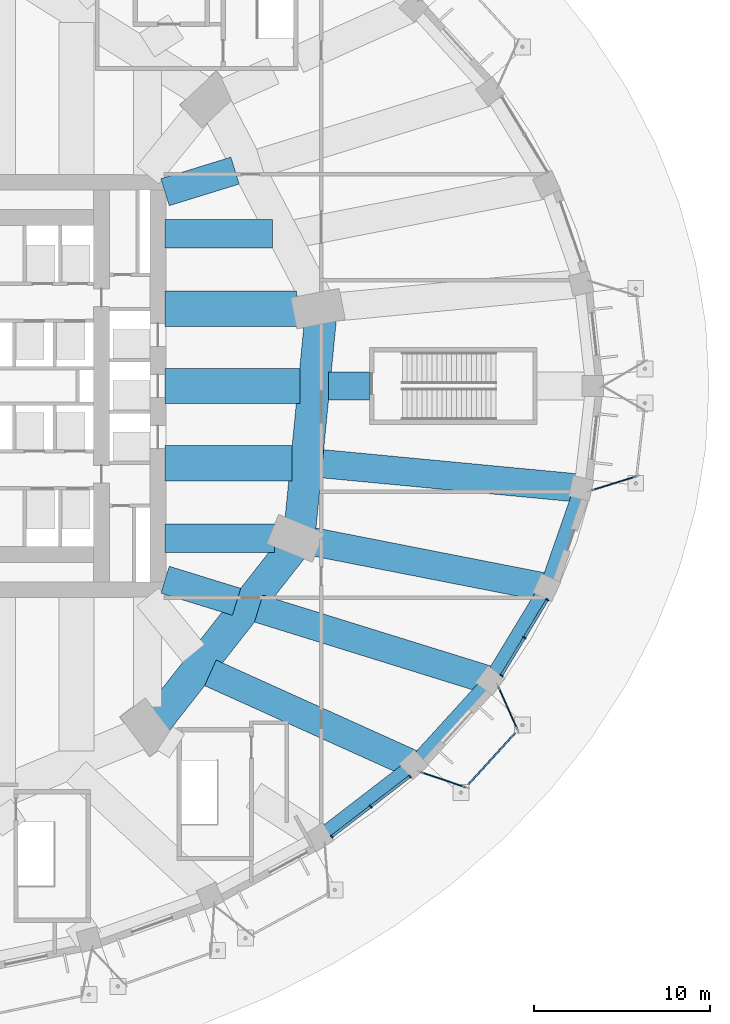
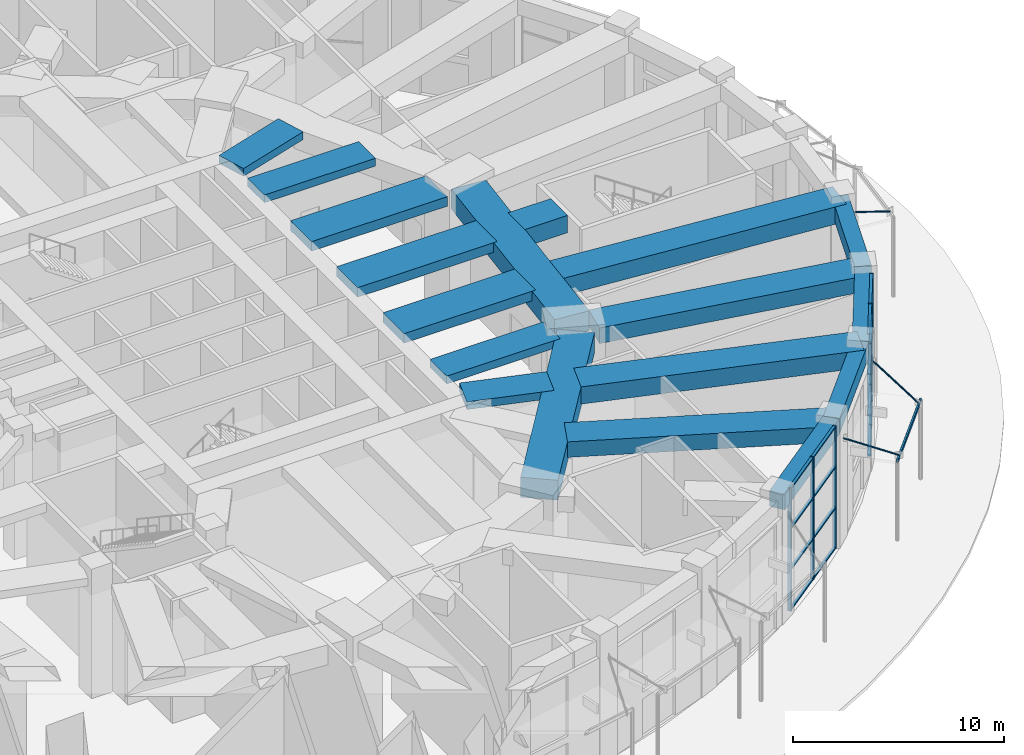
# One storey, part 28 of 60: 25 members, 19 beams, 2 elements without a shape of their own.
"""IFC4 building model written with IfcOpenShell, lengths in metres."""

import ifcopenshell
import ifcopenshell.guid

model = None  # the IFC model being written
_history = None  # IfcOwnerHistory: only IFC2X3 demands one
_inside = {}  # id of a spatial element -> (the spatial element, [elements in it])
_under = {}  # id of a project, library or spatial element -> (it, [spatial elements below it])
_declared = {}  # id of a project -> (the project, [libraries it declares])
_typed = {}  # id of a type object -> (the type object, [elements of that type])
_made_of = {}  # id of a material, layer set ... -> (it, [elements and type objects made of it])


def new_model(schema):
    """Start an empty IFC model of exactly this schema.

    Asked for "IFC4X3", IfcOpenShell would pick the latest addendum, in which some entities
    have other attributes; the version numbers below select the first issue.
    IFC2X3 requires an IfcOwnerHistory on every rooted entity: one is made here for all.
    """
    global model, _history
    if schema == "IFC4X3":
        model = ifcopenshell.file(schema_version=(4, 3, 0, 0))
    else:
        model = ifcopenshell.file(schema=schema)
    _inside.clear()
    _under.clear()
    _declared.clear()
    _typed.clear()
    _made_of.clear()
    _history = None
    if model.schema == "IFC2X3":
        org = make("IfcOrganization", Name="unknown")
        user = make(
            "IfcPersonAndOrganization",
            ThePerson=make("IfcPerson", FamilyName="unknown"),
            TheOrganization=org,
        )
        app = make(
            "IfcApplication",
            ApplicationDeveloper=org,
            Version="unknown",
            ApplicationFullName="unknown",
            ApplicationIdentifier="unknown",
        )
        _history = make(
            "IfcOwnerHistory",
            OwningUser=user,
            OwningApplication=app,
            ChangeAction="ADDED",
            CreationDate=0,
        )
    return model


def make(cls, **values):
    """One entity of the class cls with the attributes given. An attribute that is None is left unset."""
    return model.create_entity(
        cls, **{name: value for name, value in values.items() if value is not None}
    )


def rooted(cls, **values):
    """An entity with a GlobalId (a new one), such as an element, a storey or a relation."""
    return make(cls, GlobalId=ifcopenshell.guid.new(), OwnerHistory=_history, **values)


def si_unit(unit_type, name, prefix=None):
    """IfcSIUnit, for example si_unit("LENGTHUNIT", "METRE", prefix="MILLI")."""
    return make("IfcSIUnit", UnitType=unit_type, Prefix=prefix, Name=name)


def assignment(units):
    """IfcUnitAssignment: the units of a project."""
    return None if units is None else make("IfcUnitAssignment", Units=units)


def point(xyz):
    """IfcCartesianPoint."""
    return None if xyz is None else make("IfcCartesianPoint", Coordinates=xyz)


def direction(xyz):
    """IfcDirection."""
    return None if xyz is None else make("IfcDirection", DirectionRatios=xyz)


def frame(location, z_axis=None, x_axis=None):
    """IfcAxis2Placement3D, a coordinate frame: its origin and axes. An axis left out is left unset."""
    return make(
        "IfcAxis2Placement3D",
        Location=point(location),
        Axis=direction(z_axis),
        RefDirection=direction(x_axis),
    )


def frame_2d(location, x_axis=None):
    """IfcAxis2Placement2D, a coordinate frame in the plane: its origin and x axis."""
    return make(
        "IfcAxis2Placement2D", Location=point(location), RefDirection=direction(x_axis)
    )


def origin():
    """The frame at (0, 0, 0) with its axes left unset."""
    return frame((0.0, 0.0, 0.0))


def origin_2d():
    """The frame at (0, 0) in the plane with its x axis left unset."""
    return frame_2d((0.0, 0.0))


def place(relative_to, where):
    """IfcLocalPlacement: puts the frame where relative to a parent placement (None: the world)."""
    return make(
        "IfcLocalPlacement", PlacementRelTo=relative_to, RelativePlacement=where
    )


def context(
    kind, dimensions, precision=None, world=None, true_north=None, identifier=None
):
    """IfcGeometricRepresentationContext, for example the 3D "Model" context."""
    return make(
        "IfcGeometricRepresentationContext",
        ContextIdentifier=identifier,
        ContextType=kind,
        CoordinateSpaceDimension=dimensions,
        Precision=precision,
        WorldCoordinateSystem=world,
        TrueNorth=true_north,
    )


def subcontext(parent, identifier, kind, view, scale=None):
    """IfcGeometricRepresentationSubContext, for example "Body" below "Model"."""
    return make(
        "IfcGeometricRepresentationSubContext",
        ContextIdentifier=identifier,
        ContextType=kind,
        ParentContext=parent,
        TargetScale=scale,
        TargetView=view,
    )


def project(units=None, contexts=None):
    """IfcProject with its units and contexts."""
    return rooted(
        "IfcProject",
        Name="project",
        RepresentationContexts=contexts,
        UnitsInContext=assignment(units),
    )


def spatial(cls, under=None, at=None, **own):
    """A site, building, storey or space (cls), placed at a placement, below another one or the project."""
    s = rooted(cls, ObjectPlacement=at, **own)
    if under is not None:
        _under.setdefault(under.id(), (under, []))[1].append(s)
    return s


def profile(cls, at=None, kind="AREA", **sizes):
    """A parametric profile (cls). Its sizes go by their IFC names, for example OverallWidth=200.0."""
    return make(cls, ProfileType=kind, Position=at, **sizes)


def rectangle(**sizes):
    """IfcRectangleProfileDef."""
    return profile("IfcRectangleProfileDef", **sizes)


def hollow_rectangle(**sizes):
    """IfcRectangleHollowProfileDef."""
    return profile("IfcRectangleHollowProfileDef", **sizes)


def hollow_circle(**sizes):
    """IfcCircleHollowProfileDef."""
    return profile("IfcCircleHollowProfileDef", **sizes)


def extrude(swept, where, along, depth):
    """IfcExtrudedAreaSolid: the profile swept, set in the frame where, extruded along a direction by depth."""
    return make(
        "IfcExtrudedAreaSolid",
        SweptArea=swept,
        Position=where,
        ExtrudedDirection=direction(along),
        Depth=depth,
    )


def shape(context_of_items, identifier, shape_type, items):
    """IfcShapeRepresentation: the items that make up one representation, for example the "Body"."""
    return make(
        "IfcShapeRepresentation",
        ContextOfItems=context_of_items,
        RepresentationIdentifier=identifier,
        RepresentationType=shape_type,
        Items=items,
    )


def material(Name=None, Category=None):
    """IfcMaterial."""
    return make("IfcMaterial", Name=Name, Category=Category)


def material_profile(
    of_material, cross_section, Name=None, Category=None, Priority=None
):
    """IfcMaterialProfile: a cross section and its material."""
    return make(
        "IfcMaterialProfile",
        Name=Name,
        Material=of_material,
        Profile=cross_section,
        Priority=Priority,
        Category=Category,
    )


def profile_set(profiles, Name=None, composite=None):
    """IfcMaterialProfileSet."""
    return make(
        "IfcMaterialProfileSet",
        Name=Name,
        MaterialProfiles=profiles,
        CompositeProfile=composite,
    )


def made_of(thing, what):
    """Note that an element or type object is made of a material, layer set ...; save() writes the relation."""
    if what is not None:
        _made_of.setdefault(what.id(), (what, []))[1].append(thing)
    return thing


def type_object(cls, material=None, **own):
    """A type object (cls), such as IfcWallType, which elements share."""
    return made_of(rooted(cls, **own), material)


def element(
    cls,
    number,
    at=None,
    inside=None,
    cuts=None,
    type_object=None,
    material=None,
    context=None,
    identifier="Body",
    shape_type=None,
    held_by="IfcProductDefinitionShape",
    body=None,
    shapes=None,
    **own,
):
    """One element of the class cls, such as IfcWall. Its Tag is "e" and its number.

    at: its placement. inside: the storey or other place that contains it. cuts: it is an
    opening in that element (IfcRelVoidsElement). A single representation is given by context,
    identifier, shape_type and body (its items); several are given by shapes. held_by: the class
    of the entity that holds the representations. save() writes the other relations.
    """
    e = rooted(cls, Tag="e%d" % number, ObjectPlacement=at, **own)
    if body is not None:
        shapes = [shape(context, identifier, shape_type, body)]
    if shapes is not None:
        e.Representation = make(held_by, Representations=shapes)
    if inside is not None:
        _inside.setdefault(inside.id(), (inside, []))[1].append(e)
    if cuts is not None:
        rooted(
            "IfcRelVoidsElement", RelatingBuildingElement=cuts, RelatedOpeningElement=e
        )
    if type_object is not None:
        _typed.setdefault(type_object.id(), (type_object, []))[1].append(e)
    return made_of(e, material)


def aggregate(whole, parts):
    """IfcRelAggregates: a whole, such as a stair, and the parts it consists of."""
    return rooted("IfcRelAggregates", RelatingObject=whole, RelatedObjects=parts)


def save(model, path):
    """Write the relations noted so far, then the file.

    IfcRelAggregates (storeys below a building ...), IfcRelContainedInSpatialStructure (elements
    in a storey), IfcRelDefinesByType, IfcRelAssociatesMaterial and IfcRelDeclares: one each for
    every whole, place, type object, material and project.
    """
    for whole, parts in _under.values():
        aggregate(whole, parts)
    for where, things in _inside.values():
        rooted(
            "IfcRelContainedInSpatialStructure",
            RelatedElements=things,
            RelatingStructure=where,
        )
    for kind, things in _typed.values():
        rooted("IfcRelDefinesByType", RelatedObjects=things, RelatingType=kind)
    for what, things in _made_of.values():
        rooted("IfcRelAssociatesMaterial", RelatedObjects=things, RelatingMaterial=what)
    for by, libraries in _declared.values():
        rooted("IfcRelDeclares", RelatingContext=by, RelatedDefinitions=libraries)
    model.write(path)


model = new_model("IFC4")

# Units and contexts
model_context = context("Model", 3, precision=1e-05, world=origin(), true_north=direction((0.0, 1.0)))
body_context = subcontext(model_context, "Body", "Model", "MODEL_VIEW")
ifc_project = project(units=[si_unit("LENGTHUNIT", "METRE"), si_unit("AREAUNIT", "SQUARE_METRE"), si_unit("VOLUMEUNIT", "CUBIC_METRE"), si_unit("PLANEANGLEUNIT", "RADIAN"), si_unit("MASSUNIT", "GRAM", prefix="KILO")], contexts=[model_context])

# Site, building, storey
site_placement = place(None, origin())
site = spatial("IfcSite", under=ifc_project, at=site_placement, CompositionType="ELEMENT")
building_placement = place(site_placement, origin())
building = spatial("IfcBuilding", under=site, at=building_placement, Name="Taillehof Tower", CompositionType="ELEMENT")
storey_placement = place(building_placement, origin())
storey = spatial("IfcBuildingStorey", under=building, at=storey_placement, Name="L00", CompositionType="ELEMENT", Elevation=0.0)

# Beam
ifc_material_1 = material(Name="Steel S460M", Category="steel")
ifc_material_profile_1 = material_profile(ifc_material_1, hollow_rectangle(XDim=0.10009765625, YDim=0.199951171875, WallThickness=0.008056640625, InnerFilletRadius=0.008056640625, OuterFilletRadius=0.011962890625, at=origin_2d()), Name="RHS 200x100x8")
ifc_profile_set_1 = profile_set([ifc_material_profile_1], Name="Steel S460M")
beam_type_1 = type_object("IfcBeamType", Name="Canopy edge beam RHS 200x100x8", PredefinedType="BEAM", material=ifc_profile_set_1)
beam_1_placement = place(storey_placement, frame((35.916748046875, -23.064208984375, 4.550048828125), z_axis=(0.672947641547, 0.739690118723, 0.0), x_axis=(-0.739690118723, 0.672947641547, 0.0)))
element("IfcBeam", 1, at=beam_1_placement, inside=storey, type_object=beam_type_1, Name="Canopy edge beam E13", PredefinedType="BEAM", context=body_context, shape_type="SweptSolid", body=[
    extrude(hollow_rectangle(XDim=0.10009765625, YDim=0.199951171875, WallThickness=0.008056640625, InnerFilletRadius=0.008056640625, OuterFilletRadius=0.011962890625, at=origin_2d()), origin(), (0.0, 0.0, 1.0), 5.21630859375),
])

# Members
ifc_material_2 = material(Name="Steel S460M", Category="steel")
ifc_material_profile_2 = material_profile(ifc_material_2, hollow_circle(Radius=0.04443359375, WallThickness=0.0048828125, at=origin_2d()), Name="CHS 89x5")
ifc_profile_set_2 = profile_set([ifc_material_profile_2], Name="Steel S460M")
member_type_1 = type_object("IfcMemberType", Name="Canopy tie CHS 89x5", PredefinedType="BRACE", material=ifc_profile_set_2)
member_1_placement = place(storey_placement, frame((36.19921875, -22.75341796875, 4.639892578125), z_axis=(-0.846853629113, 0.285399258817, 0.448760731265), x_axis=(-0.319362878484, -0.947632498306, 0.0)))
element("IfcMember", 2, at=member_1_placement, inside=storey, type_object=member_type_1, Name="Canopy tie E13", PredefinedType="BRACE", context=body_context, shape_type="SweptSolid", body=[
    extrude(hollow_circle(Radius=0.04443359375, WallThickness=0.0048828125, at=origin_2d()), origin(), (0.0, 0.0, 1.0), 3.03076171875),
])
member_2_placement = place(storey_placement, frame((39.144287109375, -19.516357421875, 4.639892578125), z_axis=(-0.363592680004, 0.816412533751, 0.448632296856), x_axis=(-0.913502878327, -0.406832264317, 0.0)))
element("IfcMember", 3, at=member_2_placement, inside=storey, type_object=member_type_1, Name="Canopy tie E13", PredefinedType="BRACE", context=body_context, shape_type="SweptSolid", body=[
    extrude(hollow_circle(Radius=0.04443359375, WallThickness=0.0048828125, at=origin_2d()), origin(), (0.0, 0.0, 1.0), 3.03173828125),
])
member_3_placement = place(storey_placement, frame((45.884765625, -5.12109375, 4.639892578125), z_axis=(-0.853423917099, -0.265638457501, 0.448446014163), x_axis=(0.297197929532, -0.954815893606, 0.0)))
element("IfcMember", 4, at=member_3_placement, inside=storey, type_object=member_type_1, Name="Canopy tie E19", PredefinedType="BRACE", context=body_context, shape_type="SweptSolid", body=[
    extrude(hollow_circle(Radius=0.04443359375, WallThickness=0.0048828125, at=origin_2d()), origin(), (0.0, 0.0, 1.0), 3.032958984375),
])

# Beams
ifc_material_3 = material(Name="Concrete C50/60", Category="concrete")
ifc_material_profile_3 = material_profile(ifc_material_3, rectangle(XDim=0.800048828125, YDim=0.89990234375, at=origin_2d()), Name="RC 800x900")
ifc_profile_set_3 = profile_set([ifc_material_profile_3], Name="Concrete C50/60")
beam_type_2 = type_object("IfcBeamType", Name="Podium edge beam C50/60 800x900", PredefinedType="BEAM", material=ifc_profile_set_3)
beam_2_placement = place(storey_placement, frame((27.89697265625, -25.5859375, 6.639892578125), z_axis=(0.79247741179, 0.609901263978, 0.0), x_axis=(-0.609901263978, 0.79247741179, 0.0)))
element("IfcBeam", 5, at=beam_2_placement, inside=storey, type_object=beam_type_2, Name="Podium edge beam PB32", PredefinedType="BEAM", context=body_context, shape_type="SweptSolid", body=[
    extrude(rectangle(XDim=0.800048828125, YDim=0.89990234375, at=origin_2d()), origin(), (0.0, 0.0, 1.0), 6.750244140625),
])
beam_3_placement = place(storey_placement, frame((33.246337890625, -21.468994140625, 6.639892578125), z_axis=(0.67297994181, 0.739660731634, 0.0), x_axis=(-0.739660731634, 0.67297994181, 0.0)))
element("IfcBeam", 6, at=beam_3_placement, inside=storey, type_object=beam_type_2, Name="Podium edge beam PB33", PredefinedType="BEAM", context=body_context, shape_type="SweptSolid", body=[
    extrude(rectangle(XDim=0.800048828125, YDim=0.89990234375, at=origin_2d()), origin(), (0.0, 0.0, 1.0), 6.447509765625),
])
beam_4_placement = place(storey_placement, frame((37.58544921875, -16.699951171875, 6.639892578125), z_axis=(0.518238569123, 0.855236099258, 0.0), x_axis=(-0.855236099258, 0.518238569123, 0.0)))
element("IfcBeam", 7, at=beam_4_placement, inside=storey, type_object=beam_type_2, Name="Podium edge beam PB34", PredefinedType="BEAM", context=body_context, shape_type="SweptSolid", body=[
    extrude(rectangle(XDim=0.800048828125, YDim=0.89990234375, at=origin_2d()), origin(), (0.0, 0.0, 1.0), 6.16943359375),
])
beam_5_placement = place(storey_placement, frame((40.78271484375, -11.423583984375, 6.639892578125), z_axis=(0.328806837859, 0.94439719577, 0.0), x_axis=(-0.94439719577, 0.328806837859, 0.0)))
element("IfcBeam", 8, at=beam_5_placement, inside=storey, type_object=beam_type_2, Name="Podium edge beam PB35", PredefinedType="BEAM", context=body_context, shape_type="SweptSolid", body=[
    extrude(rectangle(XDim=0.800048828125, YDim=0.89990234375, at=origin_2d()), origin(), (0.0, 0.0, 1.0), 5.954833984375),
])
ifc_material_4 = material(Name="Concrete C50/60", Category="concrete")
ifc_material_profile_4 = material_profile(ifc_material_4, rectangle(XDim=1.60009765625, YDim=1.0, at=origin_2d()), Name="RC 1600x1000")
ifc_profile_set_4 = profile_set([ifc_material_profile_4], Name="Concrete C50/60")
beam_type_3 = type_object("IfcBeamType", Name="Podium radial beam C50/60 1600x1000", PredefinedType="BEAM", material=ifc_profile_set_4)
beam_6_placement = place(storey_placement, frame((30.75, 0.0, 6.590087890625), z_axis=(-1.0, 0.0, 0.0), x_axis=(0.0, -1.0, 0.0)))
element("IfcBeam", 9, at=beam_6_placement, inside=storey, type_object=beam_type_3, Name="Podium radial beam PR01", PredefinedType="BEAM", context=body_context, shape_type="SweptSolid", body=[
    extrude(rectangle(XDim=1.60009765625, YDim=1.0, at=origin_2d()), origin(), (0.0, 0.0, 1.0), 2.337158203125),
])
beam_7_placement = place(storey_placement, frame((37.58544921875, -16.699951171875, 6.590087890625), z_axis=(-0.954998937437, 0.296609220179, 0.0), x_axis=(-0.296609220179, -0.954998937437, 0.0)))
element("IfcBeam", 10, at=beam_7_placement, inside=storey, type_object=beam_type_3, Name="Podium radial beam PR34", PredefinedType="BEAM", context=body_context, shape_type="SweptSolid", body=[
    extrude(rectangle(XDim=1.60009765625, YDim=1.0, at=origin_2d()), origin(), (0.0, 0.0, 1.0), 13.748291015625),
])
beam_8_placement = place(storey_placement, frame((42.74072265625, -5.7998046875, 6.590087890625), z_axis=(-0.995531708265, 0.094427844618, 0.0), x_axis=(-0.094427844618, -0.995531708265, 0.0)))
element("IfcBeam", 11, at=beam_8_placement, inside=storey, type_object=beam_type_3, Name="Podium radial beam PR36", PredefinedType="BEAM", context=body_context, shape_type="SweptSolid", body=[
    extrude(rectangle(XDim=1.60009765625, YDim=1.0, at=origin_2d()), origin(), (0.0, 0.0, 1.0), 14.74755859375),
])
ifc_material_5 = material(Name="Concrete C50/60", Category="concrete")
ifc_material_profile_5 = material_profile(ifc_material_5, rectangle(XDim=1.60009765625, YDim=0.89990234375, at=origin_2d()), Name="RC 1600x900")
ifc_profile_set_5 = profile_set([ifc_material_profile_5], Name="Concrete C50/60")
beam_type_4 = type_object("IfcBeamType", Name="Podium radial beam C50/60 1600x900", PredefinedType="BEAM", material=ifc_profile_set_5)
beam_9_placement = place(storey_placement, frame((33.246337890625, -21.468994140625, 6.639892578125), z_axis=(-0.911451646907, 0.411407213538, 0.0), x_axis=(-0.411407213538, -0.911451646907, 0.0)))
element("IfcBeam", 12, at=beam_9_placement, inside=storey, type_object=beam_type_4, Name="Podium radial beam PR33", PredefinedType="BEAM", context=body_context, shape_type="SweptSolid", body=[
    extrude(rectangle(XDim=1.60009765625, YDim=0.89990234375, at=origin_2d()), origin(), (0.0, 0.0, 1.0), 12.645263671875),
])
beam_10_placement = place(storey_placement, frame((40.78271484375, -11.423583984375, 6.639892578125), z_axis=(-0.981362668378, 0.192164807166, 0.0), x_axis=(-0.192164807166, -0.981362668378, 0.0)))
element("IfcBeam", 13, at=beam_10_placement, inside=storey, type_object=beam_type_4, Name="Podium radial beam PR35", PredefinedType="BEAM", context=body_context, shape_type="SweptSolid", body=[
    extrude(rectangle(XDim=1.60009765625, YDim=0.89990234375, at=origin_2d()), origin(), (0.0, 0.0, 1.0), 13.479736328125),
])
ifc_material_6 = material(Name="Concrete C50/60", Category="concrete")
ifc_material_profile_6 = material_profile(ifc_material_6, rectangle(XDim=1.60009765625, YDim=0.449951171875, at=origin_2d()), Name="RC 1600x450")
ifc_profile_set_6 = profile_set([ifc_material_profile_6], Name="Concrete C50/60")
beam_type_5 = type_object("IfcBeamType", Name="Radial band beam C50/60 1600x450", PredefinedType="BEAM", material=ifc_profile_set_6)
beam_11_placement = place(storey_placement, frame((25.234130859375, 8.635986328125, 6.864990234375), z_axis=(-1.0, 0.0, 0.0), x_axis=(0.0, -1.0, 0.0)))
element("IfcBeam", 14, at=beam_11_placement, inside=storey, type_object=beam_type_5, Name="Radial band beam RB03", PredefinedType="BEAM", context=body_context, shape_type="SweptSolid", body=[
    extrude(rectangle(XDim=1.60009765625, YDim=0.449951171875, at=origin_2d()), origin(), (0.0, 0.0, 1.0), 6.084228515625),
])
beam_12_placement = place(storey_placement, frame((23.117919921875, 12.209228515625, 6.864990234375), z_axis=(-0.955533205801, -0.294883523805, 0.0), x_axis=(0.294883523805, -0.955533205801, 0.0)))
element("IfcBeam", 15, at=beam_12_placement, inside=storey, type_object=beam_type_5, Name="Radial band beam RB04", PredefinedType="BEAM", context=body_context, shape_type="SweptSolid", body=[
    extrude(rectangle(XDim=1.60009765625, YDim=0.449951171875, at=origin_2d()), origin(), (0.0, 0.0, 1.0), 4.150390625),
])
beam_13_placement = place(storey_placement, frame((23.20556640625, -12.236328125, 6.864990234375), z_axis=(-0.955529794547, 0.294894577321, 0.0), x_axis=(-0.294894577321, -0.955529794547, 0.0)))
element("IfcBeam", 16, at=beam_13_placement, inside=storey, type_object=beam_type_5, Name="Radial band beam RB34", PredefinedType="BEAM", context=body_context, shape_type="SweptSolid", body=[
    extrude(rectangle(XDim=1.60009765625, YDim=0.449951171875, at=origin_2d()), origin(), (0.0, 0.0, 1.0), 4.2421875),
])
beam_14_placement = place(storey_placement, frame((25.362060546875, -8.635986328125, 6.864990234375), z_axis=(-1.0, 0.0, 0.0), x_axis=(0.0, -1.0, 0.0)))
element("IfcBeam", 17, at=beam_14_placement, inside=storey, type_object=beam_type_5, Name="Radial band beam RB35", PredefinedType="BEAM", context=body_context, shape_type="SweptSolid", body=[
    extrude(rectangle(XDim=1.60009765625, YDim=0.449951171875, at=origin_2d()), origin(), (0.0, 0.0, 1.0), 6.212158203125),
])
ifc_material_7 = material(Name="Concrete C50/60", Category="concrete")
ifc_material_profile_7 = material_profile(ifc_material_7, rectangle(XDim=2.0, YDim=0.550048828125, at=origin_2d()), Name="RC 2000x550")
ifc_profile_set_7 = profile_set([ifc_material_profile_7], Name="Concrete C50/60")
beam_type_6 = type_object("IfcBeamType", Name="Radial band beam C50/60 2000x550", PredefinedType="BEAM", material=ifc_profile_set_7)
beam_15_placement = place(storey_placement, frame((26.787841796875, 0.0, 6.81494140625), z_axis=(-1.0, 0.0, 0.0), x_axis=(0.0, -1.0, 0.0)))
element("IfcBeam", 18, at=beam_15_placement, inside=storey, type_object=beam_type_6, Name="Radial band beam RB01", PredefinedType="BEAM", context=body_context, shape_type="SweptSolid", body=[
    extrude(rectangle(XDim=2.0, YDim=0.550048828125, at=origin_2d()), origin(), (0.0, 0.0, 1.0), 7.637939453125),
])
beam_16_placement = place(storey_placement, frame((26.592529296875, 4.384521484375, 6.81494140625), z_axis=(-1.0, 0.0, 0.0), x_axis=(0.0, -1.0, 0.0)))
element("IfcBeam", 19, at=beam_16_placement, inside=storey, type_object=beam_type_6, Name="Radial band beam RB02", PredefinedType="BEAM", context=body_context, shape_type="SweptSolid", body=[
    extrude(rectangle(XDim=2.0, YDim=0.550048828125, at=origin_2d()), origin(), (0.0, 0.0, 1.0), 7.442626953125),
])
beam_17_placement = place(storey_placement, frame((26.358642578125, -4.384521484375, 6.81494140625), z_axis=(-1.0, 0.0, 0.0), x_axis=(0.0, -1.0, 0.0)))
element("IfcBeam", 20, at=beam_17_placement, inside=storey, type_object=beam_type_6, Name="Radial band beam RB36", PredefinedType="BEAM", context=body_context, shape_type="SweptSolid", body=[
    extrude(rectangle(XDim=2.0, YDim=0.550048828125, at=origin_2d()), origin(), (0.0, 0.0, 1.0), 7.208740234375),
])
ifc_material_8 = material(Name="Concrete C50/60", Category="concrete")
ifc_material_profile_8 = material_profile(ifc_material_8, rectangle(XDim=1.800048828125, YDim=1.14990234375, at=origin_2d()), Name="RC 1800x1150")
ifc_profile_set_8 = profile_set([ifc_material_profile_8], Name="Concrete C50/60")
beam_type_7 = type_object("IfcBeamType", Name="Ring floor beam C50/60 1800x1150", PredefinedType="BEAM", material=ifc_profile_set_8)
beam_18_placement = place(storey_placement, frame((18.706787109375, -18.96728515625, 6.514892578125), z_axis=(0.616695661832, 0.787201664555, 0.0), x_axis=(-0.787201664555, 0.616695661832, 0.0)))
element("IfcBeam", 21, at=beam_18_placement, inside=storey, type_object=beam_type_7, Name="Ring floor beam RG11", PredefinedType="BEAM", context=body_context, shape_type="SweptSolid", body=[
    extrude(rectangle(XDim=1.800048828125, YDim=1.14990234375, at=origin_2d()), origin(), (0.0, 0.0, 1.0), 12.351318359375),
])
beam_19_placement = place(storey_placement, frame((26.804931640625, -8.048095703125, 6.514892578125), z_axis=(0.097401633185, 0.995245156659, 0.0), x_axis=(-0.995245156659, 0.097401633185, 0.0)))
element("IfcBeam", 22, at=beam_19_placement, inside=storey, type_object=beam_type_7, Name="Ring floor beam RG12", PredefinedType="BEAM", context=body_context, shape_type="SweptSolid", body=[
    extrude(rectangle(XDim=1.800048828125, YDim=1.14990234375, at=origin_2d()), origin(), (0.0, 0.0, 1.0), 11.868408203125),
])

# Curtain wall, members
ifc_material_9 = material(Name="Aluminium curtain wall with Clear laminated safety glass", Category="aluminium")
curtain_wall_type = type_object("IfcCurtainWallType", Name="Station storefront curtain wall", PredefinedType="USERDEFINED", material=ifc_material_9)
curtain_wall_1_placement = place(storey_placement, origin())
curtain_wall_1 = element("IfcCurtainWall", 23, at=curtain_wall_1_placement, inside=storey, type_object=curtain_wall_type, Name="Station storefront L00 bay 32", ObjectType="STOREFRONT", PredefinedType="USERDEFINED")
ifc_material_10 = material(Name="Aluminium mullion", Category="aluminium")
ifc_material_profile_9 = material_profile(ifc_material_10, rectangle(XDim=0.199951171875, YDim=0.080078125, at=origin_2d()), Name="AL 80x200")
ifc_profile_set_9 = profile_set([ifc_material_profile_9], Name="Aluminium mullion")
member_type_2 = type_object("IfcMemberType", Name="Station storefront mullion 80x200", PredefinedType="MULLION", material=ifc_profile_set_9)
member_4_placement = place(storey_placement, frame((28.59912109375, -25.547607421875, 0.0), z_axis=(0.0, 0.0, 1.0), x_axis=(-0.60993206075, 0.792453709228, 0.0)))
member_4 = element("IfcMember", 24, at=member_4_placement, type_object=member_type_2, Name="CT132 mullion 1", PredefinedType="MULLION", context=body_context, shape_type="SweptSolid", body=[
    extrude(rectangle(XDim=0.199951171875, YDim=0.080078125, at=origin_2d()), origin(), (0.0, 0.0, 1.0), 7.090087890625),
])
member_5_placement = place(storey_placement, frame((30.8154296875, -23.842041015625, 0.0), z_axis=(0.0, 0.0, 1.0), x_axis=(-0.60993206075, 0.792453709228, 0.0)))
member_5 = element("IfcMember", 25, at=member_5_placement, type_object=member_type_2, Name="CT132 mullion 2", PredefinedType="MULLION", context=body_context, shape_type="SweptSolid", body=[
    extrude(rectangle(XDim=0.199951171875, YDim=0.080078125, at=origin_2d()), origin(), (0.0, 0.0, 1.0), 7.090087890625),
])
member_6_placement = place(storey_placement, frame((33.031494140625, -22.13623046875, 0.0), z_axis=(0.0, 0.0, 1.0), x_axis=(-0.60993206075, 0.792453709228, 0.0)))
member_6 = element("IfcMember", 26, at=member_6_placement, type_object=member_type_2, Name="CT132 mullion 3", PredefinedType="MULLION", context=body_context, shape_type="SweptSolid", body=[
    extrude(rectangle(XDim=0.199951171875, YDim=0.080078125, at=origin_2d()), origin(), (0.0, 0.0, 1.0), 7.090087890625),
])

curtain_wall_2_placement = place(storey_placement, origin())
curtain_wall_2 = element("IfcCurtainWall", 27, at=curtain_wall_2_placement, inside=storey, type_object=curtain_wall_type, Name="Station storefront L00 bay 34", ObjectType="STOREFRONT", PredefinedType="USERDEFINED")
member_7_placement = place(storey_placement, frame((38.22265625, -16.414794921875, 0.0), z_axis=(0.0, 0.0, 1.0), x_axis=(-0.855288863309, 0.518151483931, 0.0)))
member_7 = element("IfcMember", 28, at=member_7_placement, type_object=member_type_2, Name="CT134 mullion 1", PredefinedType="MULLION", context=body_context, shape_type="SweptSolid", body=[
    extrude(rectangle(XDim=0.199951171875, YDim=0.080078125, at=origin_2d()), origin(), (0.0, 0.0, 1.0), 7.090087890625),
])
member_8_placement = place(storey_placement, frame((39.524169921875, -14.266357421875, 0.0), z_axis=(0.0, 0.0, 1.0), x_axis=(-0.855288863309, 0.518151483931, 0.0)))
member_8 = element("IfcMember", 29, at=member_8_placement, type_object=member_type_2, Name="CT134 mullion 2", PredefinedType="MULLION", context=body_context, shape_type="SweptSolid", body=[
    extrude(rectangle(XDim=0.199951171875, YDim=0.080078125, at=origin_2d()), origin(), (0.0, 0.0, 1.0), 7.090087890625),
])
member_9_placement = place(storey_placement, frame((40.82568359375, -12.117919921875, 0.0), z_axis=(0.0, 0.0, 1.0), x_axis=(-0.855288863309, 0.518151483931, 0.0)))
member_9 = element("IfcMember", 30, at=member_9_placement, type_object=member_type_2, Name="CT134 mullion 3", PredefinedType="MULLION", context=body_context, shape_type="SweptSolid", body=[
    extrude(rectangle(XDim=0.199951171875, YDim=0.080078125, at=origin_2d()), origin(), (0.0, 0.0, 1.0), 7.090087890625),
])

# Member
ifc_material_11 = material(Name="Aluminium transom", Category="aluminium")
ifc_material_profile_10 = material_profile(ifc_material_11, rectangle(XDim=0.14990234375, YDim=0.080078125, at=origin_2d()), Name="AL 150x80")
ifc_profile_set_10 = profile_set([ifc_material_profile_10], Name="Aluminium transom")
member_type_3 = type_object("IfcMemberType", Name="Station storefront transom 150x80", PredefinedType="USERDEFINED", material=ifc_profile_set_10)
member_10_placement = place(storey_placement, frame((28.630859375, -25.523193359375, 0.0400390625), z_axis=(0.792497014277, 0.60987579257, 0.0), x_axis=(-0.60987579257, 0.792497014277, 0.0)))
member_10 = element("IfcMember", 31, at=member_10_placement, type_object=member_type_3, Name="CT132 transom 1.1", ObjectType="TRANSOM", PredefinedType="USERDEFINED", context=body_context, shape_type="SweptSolid", body=[
    extrude(rectangle(XDim=0.14990234375, YDim=0.080078125, at=origin_2d()), origin(), (0.0, 0.0, 1.0), 2.716552734375),
])

member_11_placement = place(storey_placement, frame((28.630859375, -25.523193359375, 2.36328125), z_axis=(0.792497014277, 0.60987579257, 0.0), x_axis=(-0.60987579257, 0.792497014277, 0.0)))
member_11 = element("IfcMember", 32, at=member_11_placement, type_object=member_type_3, Name="CT132 transom 1.2", ObjectType="TRANSOM", PredefinedType="USERDEFINED", context=body_context, shape_type="SweptSolid", body=[
    extrude(rectangle(XDim=0.14990234375, YDim=0.080078125, at=origin_2d()), origin(), (0.0, 0.0, 1.0), 2.716552734375),
])

member_12_placement = place(storey_placement, frame((28.630859375, -25.523193359375, 4.726806640625), z_axis=(0.792497014277, 0.60987579257, 0.0), x_axis=(-0.60987579257, 0.792497014277, 0.0)))
member_12 = element("IfcMember", 33, at=member_12_placement, type_object=member_type_3, Name="CT132 transom 1.3", ObjectType="TRANSOM", PredefinedType="USERDEFINED", context=body_context, shape_type="SweptSolid", body=[
    extrude(rectangle(XDim=0.14990234375, YDim=0.080078125, at=origin_2d()), origin(), (0.0, 0.0, 1.0), 2.716552734375),
])

member_13_placement = place(storey_placement, frame((28.630859375, -25.523193359375, 7.050048828125), z_axis=(0.792497014277, 0.60987579257, 0.0), x_axis=(-0.60987579257, 0.792497014277, 0.0)))
member_13 = element("IfcMember", 34, at=member_13_placement, type_object=member_type_3, Name="CT132 transom 1.4", ObjectType="TRANSOM", PredefinedType="USERDEFINED", context=body_context, shape_type="SweptSolid", body=[
    extrude(rectangle(XDim=0.14990234375, YDim=0.080078125, at=origin_2d()), origin(), (0.0, 0.0, 1.0), 2.716552734375),
])

member_14_placement = place(storey_placement, frame((30.84716796875, -23.817626953125, 0.0400390625), z_axis=(0.792420141051, 0.609975671693, 0.0), x_axis=(-0.609975671693, 0.792420141051, 0.0)))
member_14 = element("IfcMember", 35, at=member_14_placement, type_object=member_type_3, Name="CT132 transom 2.1", ObjectType="TRANSOM", PredefinedType="USERDEFINED", context=body_context, shape_type="SweptSolid", body=[
    extrude(rectangle(XDim=0.14990234375, YDim=0.080078125, at=origin_2d()), origin(), (0.0, 0.0, 1.0), 2.716552734375),
])

member_15_placement = place(storey_placement, frame((30.84716796875, -23.817626953125, 2.36328125), z_axis=(0.792420141051, 0.609975671693, 0.0), x_axis=(-0.609975671693, 0.792420141051, 0.0)))
member_15 = element("IfcMember", 36, at=member_15_placement, type_object=member_type_3, Name="CT132 transom 2.2", ObjectType="TRANSOM", PredefinedType="USERDEFINED", context=body_context, shape_type="SweptSolid", body=[
    extrude(rectangle(XDim=0.14990234375, YDim=0.080078125, at=origin_2d()), origin(), (0.0, 0.0, 1.0), 2.716552734375),
])

member_16_placement = place(storey_placement, frame((30.84716796875, -23.817626953125, 4.726806640625), z_axis=(0.792420141051, 0.609975671693, 0.0), x_axis=(-0.609975671693, 0.792420141051, 0.0)))
member_16 = element("IfcMember", 37, at=member_16_placement, type_object=member_type_3, Name="CT132 transom 2.3", ObjectType="TRANSOM", PredefinedType="USERDEFINED", context=body_context, shape_type="SweptSolid", body=[
    extrude(rectangle(XDim=0.14990234375, YDim=0.080078125, at=origin_2d()), origin(), (0.0, 0.0, 1.0), 2.716552734375),
])

member_17_placement = place(storey_placement, frame((30.84716796875, -23.817626953125, 7.050048828125), z_axis=(0.792420141051, 0.609975671693, 0.0), x_axis=(-0.609975671693, 0.792420141051, 0.0)))
member_17 = element("IfcMember", 38, at=member_17_placement, type_object=member_type_3, Name="CT132 transom 2.4", ObjectType="TRANSOM", PredefinedType="USERDEFINED", context=body_context, shape_type="SweptSolid", body=[
    extrude(rectangle(XDim=0.14990234375, YDim=0.080078125, at=origin_2d()), origin(), (0.0, 0.0, 1.0), 2.716552734375),
])

aggregate(curtain_wall_1, [member_4, member_5, member_6, member_10, member_11, member_12, member_13, member_14, member_15, member_16, member_17])

member_18_placement = place(storey_placement, frame((38.243408203125, -16.38037109375, 0.0400390625), z_axis=(0.518152628731, 0.855288169765, 0.0), x_axis=(-0.855288169765, 0.518152628731, 0.0)))
member_18 = element("IfcMember", 39, at=member_18_placement, type_object=member_type_3, Name="CT134 transom 1.1", ObjectType="TRANSOM", PredefinedType="USERDEFINED", context=body_context, shape_type="SweptSolid", body=[
    extrude(rectangle(XDim=0.14990234375, YDim=0.080078125, at=origin_2d()), origin(), (0.0, 0.0, 1.0), 2.431640625),
])

member_19_placement = place(storey_placement, frame((38.243408203125, -16.38037109375, 2.36328125), z_axis=(0.518152628731, 0.855288169765, 0.0), x_axis=(-0.855288169765, 0.518152628731, 0.0)))
member_19 = element("IfcMember", 40, at=member_19_placement, type_object=member_type_3, Name="CT134 transom 1.2", ObjectType="TRANSOM", PredefinedType="USERDEFINED", context=body_context, shape_type="SweptSolid", body=[
    extrude(rectangle(XDim=0.14990234375, YDim=0.080078125, at=origin_2d()), origin(), (0.0, 0.0, 1.0), 2.431640625),
])

member_20_placement = place(storey_placement, frame((38.243408203125, -16.38037109375, 4.726806640625), z_axis=(0.518152628731, 0.855288169765, 0.0), x_axis=(-0.855288169765, 0.518152628731, 0.0)))
member_20 = element("IfcMember", 41, at=member_20_placement, type_object=member_type_3, Name="CT134 transom 1.3", ObjectType="TRANSOM", PredefinedType="USERDEFINED", context=body_context, shape_type="SweptSolid", body=[
    extrude(rectangle(XDim=0.14990234375, YDim=0.080078125, at=origin_2d()), origin(), (0.0, 0.0, 1.0), 2.431640625),
])

member_21_placement = place(storey_placement, frame((38.243408203125, -16.38037109375, 7.050048828125), z_axis=(0.518152628731, 0.855288169765, 0.0), x_axis=(-0.855288169765, 0.518152628731, 0.0)))
member_21 = element("IfcMember", 42, at=member_21_placement, type_object=member_type_3, Name="CT134 transom 1.4", ObjectType="TRANSOM", PredefinedType="USERDEFINED", context=body_context, shape_type="SweptSolid", body=[
    extrude(rectangle(XDim=0.14990234375, YDim=0.080078125, at=origin_2d()), origin(), (0.0, 0.0, 1.0), 2.431640625),
])

member_22_placement = place(storey_placement, frame((39.544921875, -14.232177734375, 0.0400390625), z_axis=(0.518108138611, 0.855315121288, 0.0), x_axis=(-0.855315121288, 0.518108138611, 0.0)))
member_22 = element("IfcMember", 43, at=member_22_placement, type_object=member_type_3, Name="CT134 transom 2.1", ObjectType="TRANSOM", PredefinedType="USERDEFINED", context=body_context, shape_type="SweptSolid", body=[
    extrude(rectangle(XDim=0.14990234375, YDim=0.080078125, at=origin_2d()), origin(), (0.0, 0.0, 1.0), 2.431884765625),
])

member_23_placement = place(storey_placement, frame((39.544921875, -14.232177734375, 2.36328125), z_axis=(0.518108138611, 0.855315121288, 0.0), x_axis=(-0.855315121288, 0.518108138611, 0.0)))
member_23 = element("IfcMember", 44, at=member_23_placement, type_object=member_type_3, Name="CT134 transom 2.2", ObjectType="TRANSOM", PredefinedType="USERDEFINED", context=body_context, shape_type="SweptSolid", body=[
    extrude(rectangle(XDim=0.14990234375, YDim=0.080078125, at=origin_2d()), origin(), (0.0, 0.0, 1.0), 2.431884765625),
])

member_24_placement = place(storey_placement, frame((39.544921875, -14.232177734375, 4.726806640625), z_axis=(0.518108138611, 0.855315121288, 0.0), x_axis=(-0.855315121288, 0.518108138611, 0.0)))
member_24 = element("IfcMember", 45, at=member_24_placement, type_object=member_type_3, Name="CT134 transom 2.3", ObjectType="TRANSOM", PredefinedType="USERDEFINED", context=body_context, shape_type="SweptSolid", body=[
    extrude(rectangle(XDim=0.14990234375, YDim=0.080078125, at=origin_2d()), origin(), (0.0, 0.0, 1.0), 2.431884765625),
])

member_25_placement = place(storey_placement, frame((39.544921875, -14.232177734375, 7.050048828125), z_axis=(0.518108138611, 0.855315121288, 0.0), x_axis=(-0.855315121288, 0.518108138611, 0.0)))
member_25 = element("IfcMember", 46, at=member_25_placement, type_object=member_type_3, Name="CT134 transom 2.4", ObjectType="TRANSOM", PredefinedType="USERDEFINED", context=body_context, shape_type="SweptSolid", body=[
    extrude(rectangle(XDim=0.14990234375, YDim=0.080078125, at=origin_2d()), origin(), (0.0, 0.0, 1.0), 2.431884765625),
])

aggregate(curtain_wall_2, [member_7, member_8, member_9, member_18, member_19, member_20, member_21, member_22, member_23, member_24, member_25])

save(model, "model.ifc")
